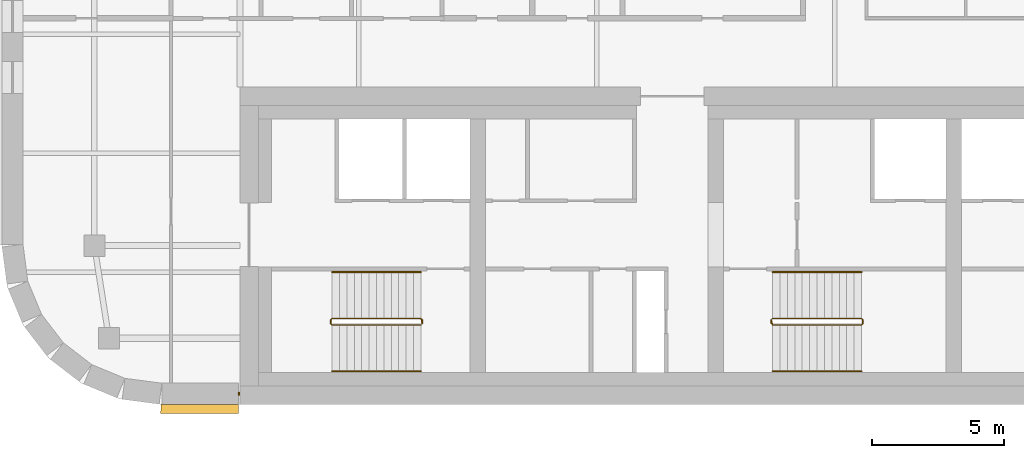
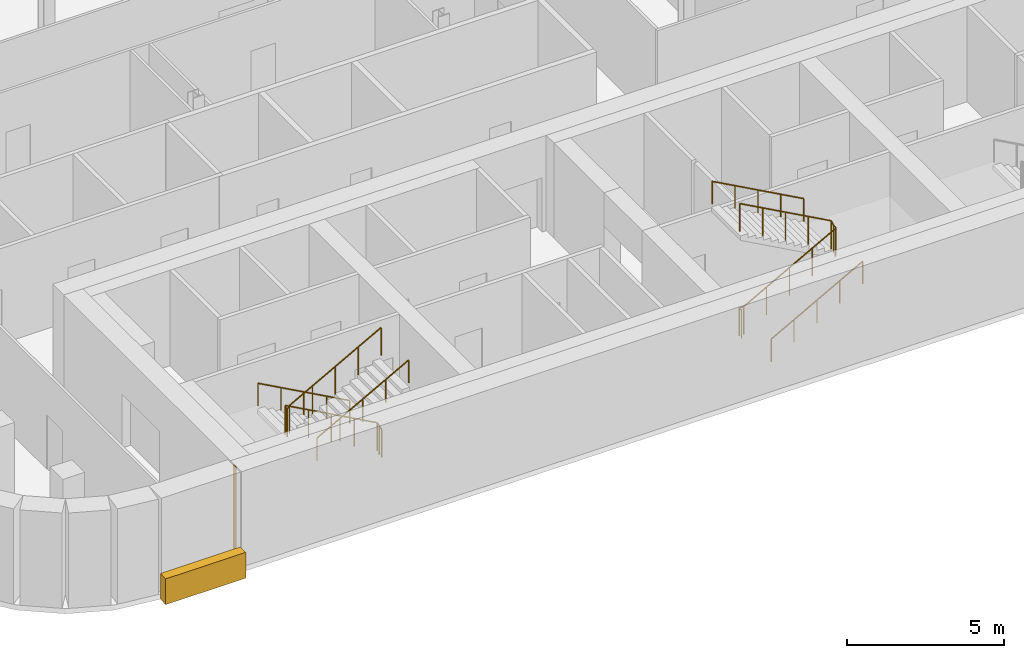
# One storey, part 12 of 15: 6 railings, 2 coverings.
"""IFC4 building model written with IfcOpenShell, lengths in metres."""

from ifc_helpers import new_model, si_unit, direction, frame, origin, origin_2d, place, context, subcontext, project, spatial, polyline, rectangle, circle, outline, extrude, material, layer, layer_set, type_object, element, save


model = new_model("IFC4")

# Units and contexts
model_context = context("Model", 3, precision=1e-05, world=origin(), true_north=direction((0.0, 1.0)))
body_context = subcontext(model_context, "Body", "Model", "MODEL_VIEW")
ifc_project = project(units=[si_unit("LENGTHUNIT", "METRE"), si_unit("AREAUNIT", "SQUARE_METRE"), si_unit("VOLUMEUNIT", "CUBIC_METRE"), si_unit("PLANEANGLEUNIT", "RADIAN"), si_unit("MASSUNIT", "GRAM", prefix="KILO")], contexts=[model_context])

# Site, building, storey
site_placement = place(None, origin())
site = spatial("IfcSite", under=ifc_project, at=site_placement, CompositionType="ELEMENT")
building_placement = place(site_placement, origin())
building = spatial("IfcBuilding", under=site, at=building_placement, Name="Zellij Exchange Tower", CompositionType="ELEMENT")
storey_placement = place(building_placement, frame((0.0, 0.0, 260.5)))
storey = spatial("IfcBuildingStorey", under=building, at=storey_placement, Name="L61", CompositionType="ELEMENT", Elevation=260.5)

# Railings
ifc_material_1 = material(Name="Stainless steel", Category="steel")
railing_type_1 = type_object("IfcRailingType", Name="CORE-RG stair guard", PredefinedType="GUARDRAIL", material=ifc_material_1)
railing_1_placement = place(storey_placement, frame((-20.10009765625, -10.800048828125, 0.0)))
element("IfcRailing", 1, at=railing_1_placement, inside=storey, type_object=railing_type_1, Name="ST1 stair guard L61", PredefinedType="GUARDRAIL", context=body_context, shape_type="SweptSolid", body=[
    extrude(circle(Radius=0.02392578125, at=origin_2d()), frame((0.0, 0.0, 1.076171875), z_axis=(0.0, -1.0, 0.0), x_axis=(1.0, 0.0, 0.0)), (0.0, 0.0, 1.0), 0.14990234375),
    extrude(circle(Radius=0.02392578125, at=origin_2d()), frame((0.0, -0.14990234375, 1.076171875), z_axis=(-0.193691321961, 0.777613689637, 0.598164376644), x_axis=(-0.970351222016, -0.241699205484, 0.0)), (0.0, 0.0, 1.0), 0.257080078125),
    extrude(circle(Radius=0.02392578125, at=origin_2d()), frame((-0.0498046875, 0.050048828125, 1.22998046875), z_axis=(-0.876421534553, 0.0, 0.481544695509), x_axis=(0.0, -1.0, 0.0)), (0.0, 0.0, 1.0), 3.833984375),
    extrude(circle(Radius=0.02392578125, at=origin_2d()), frame((-3.409912109375, 0.050048828125, 3.076171875), z_axis=(-0.707106781187, -0.707106781187, 0.0), x_axis=(0.707106781187, -0.707106781187, 0.0)), (0.0, 0.0, 1.0), 0.07080078125),
    extrude(circle(Radius=0.02392578125, at=origin_2d()), frame((-3.4599609375, 0.0, 3.076171875), z_axis=(0.0, -1.0, 0.0), x_axis=(1.0, 0.0, 0.0)), (0.0, 0.0, 1.0), 0.14990234375),
    extrude(circle(Radius=0.02392578125, at=origin_2d()), frame((-3.4599609375, -0.14990234375, 3.076171875), z_axis=(0.295599637079, -0.295599637079, 0.908428152975), x_axis=(0.707106781187, 0.707106781187, 0.0)), (0.0, 0.0, 1.0), 0.16943359375),
    extrude(circle(Radius=0.02392578125, at=origin_2d()), frame((-3.409912109375, -0.199951171875, 3.22998046875), z_axis=(0.876421534553, 0.0, 0.481544695509), x_axis=(0.0, 1.0, 0.0)), (0.0, 0.0, 1.0), 3.833984375),
    extrude(circle(Radius=0.02099609375, at=origin_2d()), origin(), (0.0, 0.0, 1.0), 1.052001953125),
    extrude(circle(Radius=0.02099609375, at=origin_2d()), frame((0.0, -0.14990234375, 0.0)), (0.0, 0.0, 1.0), 1.052001953125),
    extrude(circle(Radius=0.02099609375, at=origin_2d()), frame((-0.0498046875, 0.050048828125, 0.15380859375)), (0.0, 0.0, 1.0), 1.052001953125),
    extrude(circle(Radius=0.02099609375, at=origin_2d()), frame((-0.889892578125, 0.050048828125, 0.615234375)), (0.0, 0.0, 1.0), 1.052001953125),
    extrude(circle(Radius=0.02099609375, at=origin_2d()), frame((-1.72998046875, 0.050048828125, 1.076904296875)), (0.0, 0.0, 1.0), 1.052001953125),
    extrude(circle(Radius=0.02099609375, at=origin_2d()), frame((-2.56982421875, 0.050048828125, 1.53857421875)), (0.0, 0.0, 1.0), 1.052001953125),
    extrude(circle(Radius=0.02099609375, at=origin_2d()), frame((-3.409912109375, 0.050048828125, 2.0)), (0.0, 0.0, 1.0), 1.052001953125),
    extrude(circle(Radius=0.02099609375, at=origin_2d()), frame((-3.4599609375, 0.0, 2.0)), (0.0, 0.0, 1.0), 1.052001953125),
    extrude(circle(Radius=0.02099609375, at=origin_2d()), frame((-3.4599609375, -0.14990234375, 2.0)), (0.0, 0.0, 1.0), 1.052001953125),
    extrude(circle(Radius=0.02099609375, at=origin_2d()), frame((-3.409912109375, -0.199951171875, 2.15380859375)), (0.0, 0.0, 1.0), 1.052001953125),
    extrude(circle(Radius=0.02099609375, at=origin_2d()), frame((-2.56982421875, -0.199951171875, 2.615234375)), (0.0, 0.0, 1.0), 1.052001953125),
    extrude(circle(Radius=0.02099609375, at=origin_2d()), frame((-1.72998046875, -0.199951171875, 3.076904296875)), (0.0, 0.0, 1.0), 1.052001953125),
    extrude(circle(Radius=0.02099609375, at=origin_2d()), frame((-0.889892578125, -0.199951171875, 3.53857421875)), (0.0, 0.0, 1.0), 1.052001953125),
    extrude(circle(Radius=0.02099609375, at=origin_2d()), frame((-0.0498046875, -0.199951171875, 4.0)), (0.0, 0.0, 1.0), 1.052001953125),
])
railing_2_placement = place(storey_placement, frame((-6.89990234375, -10.949951171875, 0.0)))
element("IfcRailing", 2, at=railing_2_placement, inside=storey, type_object=railing_type_1, Name="ST2 stair guard L61", PredefinedType="GUARDRAIL", context=body_context, shape_type="SweptSolid", body=[
    extrude(circle(Radius=0.02392578125, at=origin_2d()), frame((0.0, 0.0, 1.076171875), z_axis=(0.0, 1.0, 0.0), x_axis=(-1.0, 0.0, 0.0)), (0.0, 0.0, 1.0), 0.14990234375),
    extrude(circle(Radius=0.02392578125, at=origin_2d()), frame((0.0, 0.14990234375, 1.076171875), z_axis=(0.193691321961, -0.777613689637, 0.598164376644), x_axis=(0.970351222016, 0.241699205484, 0.0)), (0.0, 0.0, 1.0), 0.257080078125),
    extrude(circle(Radius=0.02392578125, at=origin_2d()), frame((0.0498046875, -0.050048828125, 1.22998046875), z_axis=(0.876421534553, 0.0, 0.481544695509), x_axis=(0.0, 1.0, 0.0)), (0.0, 0.0, 1.0), 3.833984375),
    extrude(circle(Radius=0.02392578125, at=origin_2d()), frame((3.409912109375, -0.050048828125, 3.076171875), z_axis=(0.707106781187, 0.707106781187, 0.0), x_axis=(-0.707106781187, 0.707106781187, 0.0)), (0.0, 0.0, 1.0), 0.07080078125),
    extrude(circle(Radius=0.02392578125, at=origin_2d()), frame((3.4599609375, 0.0, 3.076171875), z_axis=(0.0, 1.0, 0.0), x_axis=(-1.0, 0.0, 0.0)), (0.0, 0.0, 1.0), 0.14990234375),
    extrude(circle(Radius=0.02392578125, at=origin_2d()), frame((3.4599609375, 0.14990234375, 3.076171875), z_axis=(-0.295599637079, 0.295599637079, 0.908428152975), x_axis=(-0.707106781187, -0.707106781187, 0.0)), (0.0, 0.0, 1.0), 0.16943359375),
    extrude(circle(Radius=0.02392578125, at=origin_2d()), frame((3.409912109375, 0.199951171875, 3.22998046875), z_axis=(-0.876421534553, 0.0, 0.481544695509), x_axis=(0.0, -1.0, 0.0)), (0.0, 0.0, 1.0), 3.833984375),
    extrude(circle(Radius=0.02099609375, at=origin_2d()), origin(), (0.0, 0.0, 1.0), 1.052001953125),
    extrude(circle(Radius=0.02099609375, at=origin_2d()), frame((0.0, 0.14990234375, 0.0)), (0.0, 0.0, 1.0), 1.052001953125),
    extrude(circle(Radius=0.02099609375, at=origin_2d()), frame((0.0498046875, -0.050048828125, 0.15380859375)), (0.0, 0.0, 1.0), 1.052001953125),
    extrude(circle(Radius=0.02099609375, at=origin_2d()), frame((0.889892578125, -0.050048828125, 0.615234375)), (0.0, 0.0, 1.0), 1.052001953125),
    extrude(circle(Radius=0.02099609375, at=origin_2d()), frame((1.72998046875, -0.050048828125, 1.076904296875)), (0.0, 0.0, 1.0), 1.052001953125),
    extrude(circle(Radius=0.02099609375, at=origin_2d()), frame((2.56982421875, -0.050048828125, 1.53857421875)), (0.0, 0.0, 1.0), 1.052001953125),
    extrude(circle(Radius=0.02099609375, at=origin_2d()), frame((3.409912109375, -0.050048828125, 2.0)), (0.0, 0.0, 1.0), 1.052001953125),
    extrude(circle(Radius=0.02099609375, at=origin_2d()), frame((3.4599609375, 0.0, 2.0)), (0.0, 0.0, 1.0), 1.052001953125),
    extrude(circle(Radius=0.02099609375, at=origin_2d()), frame((3.4599609375, 0.14990234375, 2.0)), (0.0, 0.0, 1.0), 1.052001953125),
    extrude(circle(Radius=0.02099609375, at=origin_2d()), frame((3.409912109375, 0.199951171875, 2.15380859375)), (0.0, 0.0, 1.0), 1.052001953125),
    extrude(circle(Radius=0.02099609375, at=origin_2d()), frame((2.56982421875, 0.199951171875, 2.615234375)), (0.0, 0.0, 1.0), 1.052001953125),
    extrude(circle(Radius=0.02099609375, at=origin_2d()), frame((1.72998046875, 0.199951171875, 3.076904296875)), (0.0, 0.0, 1.0), 1.052001953125),
    extrude(circle(Radius=0.02099609375, at=origin_2d()), frame((0.889892578125, 0.199951171875, 3.53857421875)), (0.0, 0.0, 1.0), 1.052001953125),
    extrude(circle(Radius=0.02099609375, at=origin_2d()), frame((0.0498046875, 0.199951171875, 4.0)), (0.0, 0.0, 1.0), 1.052001953125),
])
railing_type_2 = type_object("IfcRailingType", Name="CORE-RH stair handrail", PredefinedType="HANDRAIL", material=ifc_material_1)
railing_3_placement = place(storey_placement, frame((-20.14990234375, -9.0, 0.15380859375)))
element("IfcRailing", 3, at=railing_3_placement, inside=storey, type_object=railing_type_2, Name="ST1 stair handrail L61", PredefinedType="HANDRAIL", context=body_context, shape_type="SweptSolid", body=[
    extrude(circle(Radius=0.02392578125, at=origin_2d()), frame((0.0, 0.0, 0.8759765625), z_axis=(-0.876421534553, 0.0, 0.481544695509), x_axis=(0.0, -1.0, 0.0)), (0.0, 0.0, 1.0), 3.833984375),
    extrude(circle(Radius=0.02099609375, at=origin_2d()), origin(), (0.0, 0.0, 1.0), 0.851806640625),
    extrude(circle(Radius=0.02099609375, at=origin_2d()), frame((-0.840087890625, 0.0, 0.46142578125)), (0.0, 0.0, 1.0), 0.851806640625),
    extrude(circle(Radius=0.02099609375, at=origin_2d()), frame((-1.68017578125, 0.0, 0.923095703125)), (0.0, 0.0, 1.0), 0.851806640625),
    extrude(circle(Radius=0.02099609375, at=origin_2d()), frame((-2.52001953125, 0.0, 1.384765625)), (0.0, 0.0, 1.0), 0.851806640625),
    extrude(circle(Radius=0.02099609375, at=origin_2d()), frame((-3.360107421875, 0.0, 1.84619140625)), (0.0, 0.0, 1.0), 0.851806640625),
])
for number, where, name in (
    (4, (-23.510009765625, -12.75, 2.15380859375), "ST1 stair handrail L61"),
    (5, (-6.85009765625, -12.75, 0.15380859375), "ST2 stair handrail L61"),
):
    element("IfcRailing", number, at=place(storey_placement, frame(where)), inside=storey, type_object=railing_type_2, Name=name, PredefinedType="HANDRAIL", context=body_context, shape_type="SweptSolid", body=[
        extrude(circle(Radius=0.02392578125, at=origin_2d()), frame((0.0, 0.0, 0.8759765625), z_axis=(0.876421534553, 0.0, 0.481544695509), x_axis=(0.0, 1.0, 0.0)), (0.0, 0.0, 1.0), 3.833984375),
        extrude(circle(Radius=0.02099609375, at=origin_2d()), origin(), (0.0, 0.0, 1.0), 0.851806640625),
        extrude(circle(Radius=0.02099609375, at=origin_2d()), frame((0.840087890625, 0.0, 0.46142578125)), (0.0, 0.0, 1.0), 0.851806640625),
        extrude(circle(Radius=0.02099609375, at=origin_2d()), frame((1.68017578125, 0.0, 0.923095703125)), (0.0, 0.0, 1.0), 0.851806640625),
        extrude(circle(Radius=0.02099609375, at=origin_2d()), frame((2.52001953125, 0.0, 1.384765625)), (0.0, 0.0, 1.0), 0.851806640625),
        extrude(circle(Radius=0.02099609375, at=origin_2d()), frame((3.360107421875, 0.0, 1.84619140625)), (0.0, 0.0, 1.0), 0.851806640625),
    ])
railing_4_placement = place(storey_placement, frame((-3.489990234375, -9.0, 2.15380859375)))
element("IfcRailing", 6, at=railing_4_placement, inside=storey, type_object=railing_type_2, Name="ST2 stair handrail L61", PredefinedType="HANDRAIL", context=body_context, shape_type="SweptSolid", body=[
    extrude(circle(Radius=0.02392578125, at=origin_2d()), frame((0.0, 0.0, 0.8759765625), z_axis=(-0.876421534553, 0.0, 0.481544695509), x_axis=(0.0, -1.0, 0.0)), (0.0, 0.0, 1.0), 3.833984375),
    extrude(circle(Radius=0.02099609375, at=origin_2d()), origin(), (0.0, 0.0, 1.0), 0.851806640625),
    extrude(circle(Radius=0.02099609375, at=origin_2d()), frame((-0.840087890625, 0.0, 0.46142578125)), (0.0, 0.0, 1.0), 0.851806640625),
    extrude(circle(Radius=0.02099609375, at=origin_2d()), frame((-1.68017578125, 0.0, 0.923095703125)), (0.0, 0.0, 1.0), 0.851806640625),
    extrude(circle(Radius=0.02099609375, at=origin_2d()), frame((-2.52001953125, 0.0, 1.384765625)), (0.0, 0.0, 1.0), 0.851806640625),
    extrude(circle(Radius=0.02099609375, at=origin_2d()), frame((-3.360107421875, 0.0, 1.84619140625)), (0.0, 0.0, 1.0), 0.851806640625),
])

# Coverings
ifc_material_2 = material(Name="Limestone cladding", Category="masonry")
ifc_layer_1 = layer(ifc_material_2, 0.35009765625)
ifc_layer_set_1 = layer_set([ifc_layer_1], Name="Limestone cladding")
covering_type_1 = type_object("IfcCoveringType", Name="ENV-CV10 Stone spandrel band 350", PredefinedType="CLADDING", material=ifc_layer_set_1)
covering_1_placement = place(storey_placement, frame((0.0, 0.0, -0.199951171875)))
element("IfcCovering", 7, at=covering_1_placement, inside=storey, type_object=covering_type_1, Name="Stone spandrel band", PredefinedType="CLADDING", context=body_context, shape_type="SweptSolid", body=[
    extrude(outline(polyline([(-29.973876953125, -14.0), (-27.050048828125, -14.0), (-27.050048828125, -14.35009765625), (-29.99658203125, -14.35009765625), (-29.973876953125, -14.0)])), origin(), (0.0, 0.0, 1.0), 1.0),
])
ifc_layer_2 = layer(ifc_material_2, 0.1201171875)
ifc_layer_set_2 = layer_set([ifc_layer_2], Name="Limestone cladding")
covering_type_2 = type_object("IfcCoveringType", Name="ENV-CV18 Glazing closer 120", PredefinedType="CLADDING", material=ifc_layer_set_2)
covering_2_placement = place(storey_placement, frame((-27.02490234375, -13.60009765625, 0.0), z_axis=(0.0, 0.0, 1.0), x_axis=(1.0, 0.0, 0.0)))
element("IfcCovering", 8, at=covering_2_placement, inside=storey, type_object=covering_type_2, Name="Glazing closer", PredefinedType="CLADDING", context=body_context, shape_type="SweptSolid", body=[
    extrude(rectangle(XDim=0.050048828125, YDim=0.1201171875, at=origin_2d()), origin(), (0.0, 0.0, 1.0), 3.699951171875),
])

save(model, "model.ifc")
